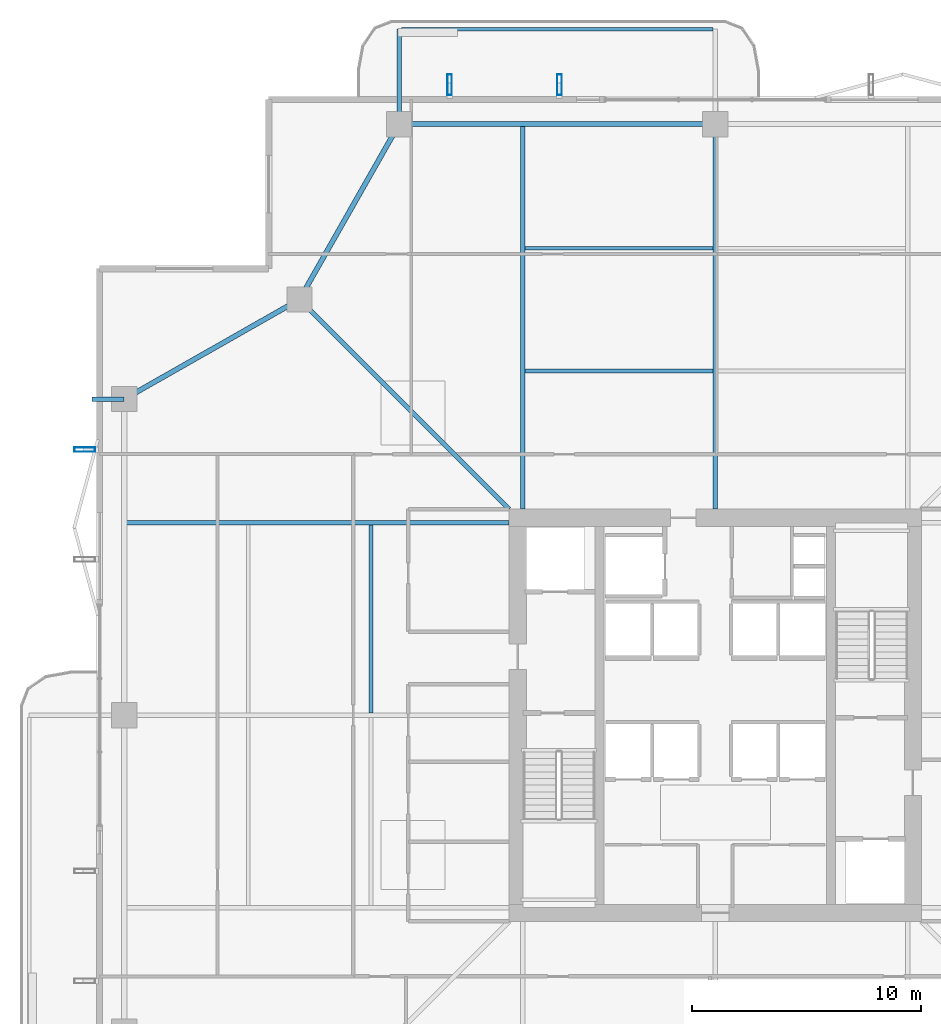
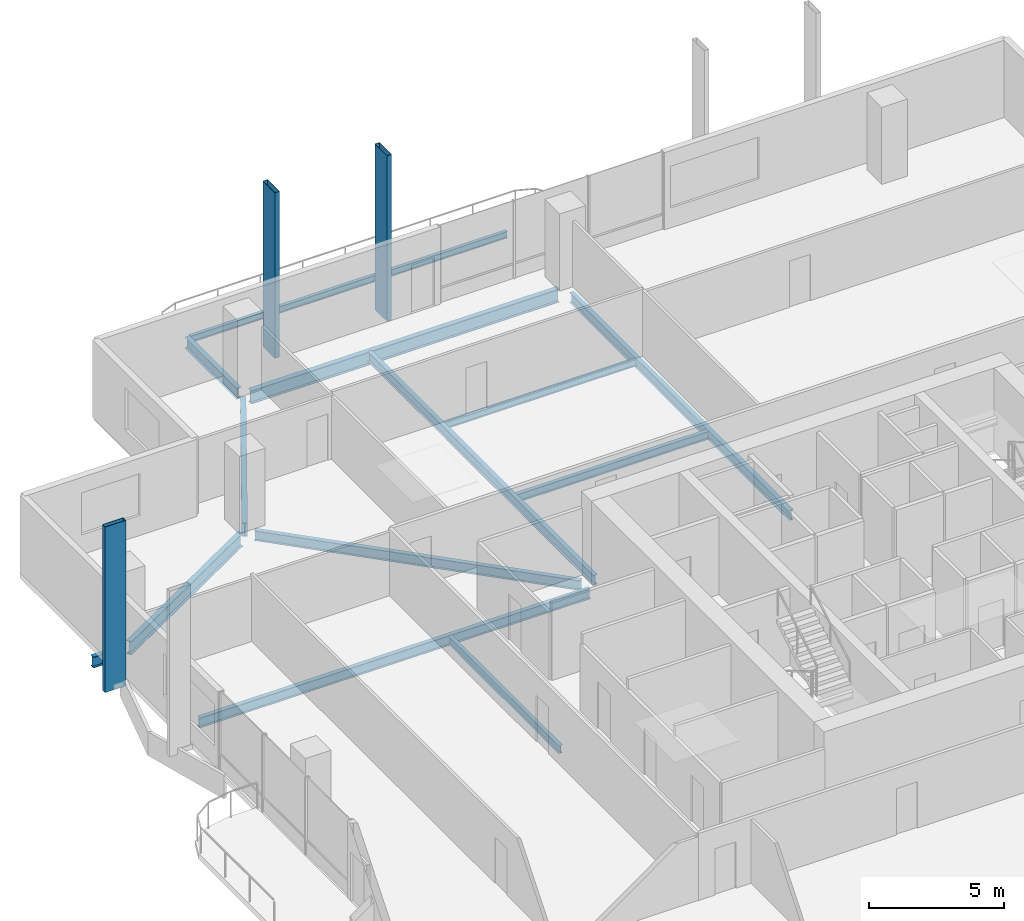
# One storey, part 10 of 24: 13 beams, 3 members.
"""IFC4 building model written with IfcOpenShell, lengths in metres."""

import ifcopenshell
import ifcopenshell.guid

model = None  # the IFC model being written
_history = None  # IfcOwnerHistory: only IFC2X3 demands one
_inside = {}  # id of a spatial element -> (the spatial element, [elements in it])
_under = {}  # id of a project, library or spatial element -> (it, [spatial elements below it])
_declared = {}  # id of a project -> (the project, [libraries it declares])
_typed = {}  # id of a type object -> (the type object, [elements of that type])
_made_of = {}  # id of a material, layer set ... -> (it, [elements and type objects made of it])


def new_model(schema):
    """Start an empty IFC model of exactly this schema.

    Asked for "IFC4X3", IfcOpenShell would pick the latest addendum, in which some entities
    have other attributes; the version numbers below select the first issue.
    IFC2X3 requires an IfcOwnerHistory on every rooted entity: one is made here for all.
    """
    global model, _history
    if schema == "IFC4X3":
        model = ifcopenshell.file(schema_version=(4, 3, 0, 0))
    else:
        model = ifcopenshell.file(schema=schema)
    _inside.clear()
    _under.clear()
    _declared.clear()
    _typed.clear()
    _made_of.clear()
    _history = None
    if model.schema == "IFC2X3":
        org = make("IfcOrganization", Name="unknown")
        user = make(
            "IfcPersonAndOrganization",
            ThePerson=make("IfcPerson", FamilyName="unknown"),
            TheOrganization=org,
        )
        app = make(
            "IfcApplication",
            ApplicationDeveloper=org,
            Version="unknown",
            ApplicationFullName="unknown",
            ApplicationIdentifier="unknown",
        )
        _history = make(
            "IfcOwnerHistory",
            OwningUser=user,
            OwningApplication=app,
            ChangeAction="ADDED",
            CreationDate=0,
        )
    return model


def make(cls, **values):
    """One entity of the class cls with the attributes given. An attribute that is None is left unset."""
    return model.create_entity(
        cls, **{name: value for name, value in values.items() if value is not None}
    )


def rooted(cls, **values):
    """An entity with a GlobalId (a new one), such as an element, a storey or a relation."""
    return make(cls, GlobalId=ifcopenshell.guid.new(), OwnerHistory=_history, **values)


def si_unit(unit_type, name, prefix=None):
    """IfcSIUnit, for example si_unit("LENGTHUNIT", "METRE", prefix="MILLI")."""
    return make("IfcSIUnit", UnitType=unit_type, Prefix=prefix, Name=name)


def assignment(units):
    """IfcUnitAssignment: the units of a project."""
    return None if units is None else make("IfcUnitAssignment", Units=units)


def point(xyz):
    """IfcCartesianPoint."""
    return None if xyz is None else make("IfcCartesianPoint", Coordinates=xyz)


def direction(xyz):
    """IfcDirection."""
    return None if xyz is None else make("IfcDirection", DirectionRatios=xyz)


def frame(location, z_axis=None, x_axis=None):
    """IfcAxis2Placement3D, a coordinate frame: its origin and axes. An axis left out is left unset."""
    return make(
        "IfcAxis2Placement3D",
        Location=point(location),
        Axis=direction(z_axis),
        RefDirection=direction(x_axis),
    )


def frame_2d(location, x_axis=None):
    """IfcAxis2Placement2D, a coordinate frame in the plane: its origin and x axis."""
    return make(
        "IfcAxis2Placement2D", Location=point(location), RefDirection=direction(x_axis)
    )


def origin():
    """The frame at (0, 0, 0) with its axes left unset."""
    return frame((0.0, 0.0, 0.0))


def origin_2d():
    """The frame at (0, 0) in the plane with its x axis left unset."""
    return frame_2d((0.0, 0.0))


def place(relative_to, where):
    """IfcLocalPlacement: puts the frame where relative to a parent placement (None: the world)."""
    return make(
        "IfcLocalPlacement", PlacementRelTo=relative_to, RelativePlacement=where
    )


def context(
    kind, dimensions, precision=None, world=None, true_north=None, identifier=None
):
    """IfcGeometricRepresentationContext, for example the 3D "Model" context."""
    return make(
        "IfcGeometricRepresentationContext",
        ContextIdentifier=identifier,
        ContextType=kind,
        CoordinateSpaceDimension=dimensions,
        Precision=precision,
        WorldCoordinateSystem=world,
        TrueNorth=true_north,
    )


def subcontext(parent, identifier, kind, view, scale=None):
    """IfcGeometricRepresentationSubContext, for example "Body" below "Model"."""
    return make(
        "IfcGeometricRepresentationSubContext",
        ContextIdentifier=identifier,
        ContextType=kind,
        ParentContext=parent,
        TargetScale=scale,
        TargetView=view,
    )


def project(units=None, contexts=None):
    """IfcProject with its units and contexts."""
    return rooted(
        "IfcProject",
        Name="project",
        RepresentationContexts=contexts,
        UnitsInContext=assignment(units),
    )


def spatial(cls, under=None, at=None, **own):
    """A site, building, storey or space (cls), placed at a placement, below another one or the project."""
    s = rooted(cls, ObjectPlacement=at, **own)
    if under is not None:
        _under.setdefault(under.id(), (under, []))[1].append(s)
    return s


def profile(cls, at=None, kind="AREA", **sizes):
    """A parametric profile (cls). Its sizes go by their IFC names, for example OverallWidth=200.0."""
    return make(cls, ProfileType=kind, Position=at, **sizes)


def hollow_rectangle(**sizes):
    """IfcRectangleHollowProfileDef."""
    return profile("IfcRectangleHollowProfileDef", **sizes)


def i_section(**sizes):
    """IfcIShapeProfileDef."""
    return profile("IfcIShapeProfileDef", **sizes)


def extrude(swept, where, along, depth):
    """IfcExtrudedAreaSolid: the profile swept, set in the frame where, extruded along a direction by depth."""
    return make(
        "IfcExtrudedAreaSolid",
        SweptArea=swept,
        Position=where,
        ExtrudedDirection=direction(along),
        Depth=depth,
    )


def shape(context_of_items, identifier, shape_type, items):
    """IfcShapeRepresentation: the items that make up one representation, for example the "Body"."""
    return make(
        "IfcShapeRepresentation",
        ContextOfItems=context_of_items,
        RepresentationIdentifier=identifier,
        RepresentationType=shape_type,
        Items=items,
    )


def material(Name=None, Category=None):
    """IfcMaterial."""
    return make("IfcMaterial", Name=Name, Category=Category)


def material_profile(
    of_material, cross_section, Name=None, Category=None, Priority=None
):
    """IfcMaterialProfile: a cross section and its material."""
    return make(
        "IfcMaterialProfile",
        Name=Name,
        Material=of_material,
        Profile=cross_section,
        Priority=Priority,
        Category=Category,
    )


def profile_set(profiles, Name=None, composite=None):
    """IfcMaterialProfileSet."""
    return make(
        "IfcMaterialProfileSet",
        Name=Name,
        MaterialProfiles=profiles,
        CompositeProfile=composite,
    )


def made_of(thing, what):
    """Note that an element or type object is made of a material, layer set ...; save() writes the relation."""
    if what is not None:
        _made_of.setdefault(what.id(), (what, []))[1].append(thing)
    return thing


def type_object(cls, material=None, **own):
    """A type object (cls), such as IfcWallType, which elements share."""
    return made_of(rooted(cls, **own), material)


def element(
    cls,
    number,
    at=None,
    inside=None,
    cuts=None,
    type_object=None,
    material=None,
    context=None,
    identifier="Body",
    shape_type=None,
    held_by="IfcProductDefinitionShape",
    body=None,
    shapes=None,
    **own,
):
    """One element of the class cls, such as IfcWall. Its Tag is "e" and its number.

    at: its placement. inside: the storey or other place that contains it. cuts: it is an
    opening in that element (IfcRelVoidsElement). A single representation is given by context,
    identifier, shape_type and body (its items); several are given by shapes. held_by: the class
    of the entity that holds the representations. save() writes the other relations.
    """
    e = rooted(cls, Tag="e%d" % number, ObjectPlacement=at, **own)
    if body is not None:
        shapes = [shape(context, identifier, shape_type, body)]
    if shapes is not None:
        e.Representation = make(held_by, Representations=shapes)
    if inside is not None:
        _inside.setdefault(inside.id(), (inside, []))[1].append(e)
    if cuts is not None:
        rooted(
            "IfcRelVoidsElement", RelatingBuildingElement=cuts, RelatedOpeningElement=e
        )
    if type_object is not None:
        _typed.setdefault(type_object.id(), (type_object, []))[1].append(e)
    return made_of(e, material)


def aggregate(whole, parts):
    """IfcRelAggregates: a whole, such as a stair, and the parts it consists of."""
    return rooted("IfcRelAggregates", RelatingObject=whole, RelatedObjects=parts)


def save(model, path):
    """Write the relations noted so far, then the file.

    IfcRelAggregates (storeys below a building ...), IfcRelContainedInSpatialStructure (elements
    in a storey), IfcRelDefinesByType, IfcRelAssociatesMaterial and IfcRelDeclares: one each for
    every whole, place, type object, material and project.
    """
    for whole, parts in _under.values():
        aggregate(whole, parts)
    for where, things in _inside.values():
        rooted(
            "IfcRelContainedInSpatialStructure",
            RelatedElements=things,
            RelatingStructure=where,
        )
    for kind, things in _typed.values():
        rooted("IfcRelDefinesByType", RelatedObjects=things, RelatingType=kind)
    for what, things in _made_of.values():
        rooted("IfcRelAssociatesMaterial", RelatedObjects=things, RelatingMaterial=what)
    for by, libraries in _declared.values():
        rooted("IfcRelDeclares", RelatingContext=by, RelatedDefinitions=libraries)
    model.write(path)


model = new_model("IFC4")

# Units and contexts
model_context = context("Model", 3, precision=1e-05, world=origin(), true_north=direction((0.0, 1.0)))
body_context = subcontext(model_context, "Body", "Model", "MODEL_VIEW")
ifc_project = project(units=[si_unit("LENGTHUNIT", "METRE"), si_unit("AREAUNIT", "SQUARE_METRE"), si_unit("VOLUMEUNIT", "CUBIC_METRE"), si_unit("PLANEANGLEUNIT", "RADIAN"), si_unit("MASSUNIT", "GRAM", prefix="KILO")], contexts=[model_context])

# Site, building, storey
site_placement = place(None, origin())
site = spatial("IfcSite", under=ifc_project, at=site_placement, CompositionType="ELEMENT")
building_placement = place(site_placement, origin())
building = spatial("IfcBuilding", under=site, at=building_placement, Name="Belovzor Exchange Tower", CompositionType="ELEMENT")
storey_placement = place(building_placement, frame((0.0, 0.0, 226.199951171875)))
storey = spatial("IfcBuildingStorey", under=building, at=storey_placement, Name="L56", CompositionType="ELEMENT", Elevation=226.199951171875)

# Beams
ifc_material_1 = material(Name="Steel S355", Category="steel")
ifc_material_profile_1 = material_profile(ifc_material_1, i_section(OverallWidth=0.199951171875, OverallDepth=0.5, WebThickness=0.01025390625, FlangeThickness=0.01611328125, at=origin_2d()))
ifc_profile_set_1 = profile_set([ifc_material_profile_1], Name="Steel S355")
beam_type_1 = type_object("IfcBeamType", Name="Planted Balcony Cantilever Beam IPE 500", PredefinedType="BEAM", material=ifc_profile_set_1)
beam_1_placement = place(storey_placement, frame((15.0, 54.903076171875, -0.5), z_axis=(0.0, 1.0, 0.0), x_axis=(-1.0, 0.0, 0.0)))
element("IfcBeam", 1, at=beam_1_placement, inside=storey, type_object=beam_type_1, Name="BC-500 Planted Balcony Cantilever Beam IPE 500", PredefinedType="BEAM", context=body_context, shape_type="SweptSolid", body=[
    extrude(i_section(OverallWidth=0.199951171875, OverallDepth=0.5, WebThickness=0.01025390625, FlangeThickness=0.01611328125, at=origin_2d()), origin(), (0.0, 0.0, 1.0), 3.849853515625),
])
beam_2_placement = place(storey_placement, frame((3.0, 42.60009765625, -0.5), z_axis=(-1.0, 0.0, 0.0), x_axis=(0.0, -1.0, 0.0)))
element("IfcBeam", 2, at=beam_2_placement, inside=storey, type_object=beam_type_1, Name="BC-500 Planted Balcony Cantilever Beam IPE 500", PredefinedType="BEAM", context=body_context, shape_type="SweptSolid", body=[
    extrude(i_section(OverallWidth=0.199951171875, OverallDepth=0.5, WebThickness=0.01025390625, FlangeThickness=0.01611328125, at=origin_2d()), origin(), (0.0, 0.0, 1.0), 1.39990234375),
])
ifc_material_2 = material(Name="Steel S355", Category="steel")
ifc_material_profile_2 = material_profile(ifc_material_2, i_section(OverallWidth=0.14990234375, OverallDepth=0.300048828125, WebThickness=0.007080078125, FlangeThickness=0.0107421875, at=origin_2d()))
ifc_profile_set_2 = profile_set([ifc_material_profile_2], Name="Steel S355")
beam_type_2 = type_object("IfcBeamType", Name="Planted Balcony Fascia Edge Beam IPE 300", PredefinedType="BEAM", material=ifc_profile_set_2)
beam_3_placement = place(storey_placement, frame((28.699951171875, 58.7529296875, -0.39990234375), z_axis=(-1.0, 0.0, 0.0), x_axis=(0.0, -1.0, 0.0)))
element("IfcBeam", 3, at=beam_3_placement, inside=storey, type_object=beam_type_2, Name="BC-300 Planted Balcony Fascia Edge Beam IPE 300", PredefinedType="BEAM", context=body_context, shape_type="SweptSolid", body=[
    extrude(i_section(OverallWidth=0.14990234375, OverallDepth=0.300048828125, WebThickness=0.007080078125, FlangeThickness=0.0107421875, at=origin_2d()), origin(), (0.0, 0.0, 1.0), 13.599853515625),
])
ifc_material_3 = material(Name="Steel S355", Category="steel")
ifc_material_profile_3 = material_profile(ifc_material_3, i_section(OverallWidth=0.169921875, OverallDepth=0.360107421875, WebThickness=0.008056640625, FlangeThickness=0.0126953125, at=origin_2d()))
ifc_profile_set_3 = profile_set([ifc_material_profile_3], Name="Steel S355")
beam_type_3 = type_object("IfcBeamType", Name="Secondary Infill Floor Joist IPE 360", PredefinedType="BEAM", material=ifc_profile_set_3)
for number, where, z_axis, x_axis, name in (
    (4, (20.4951171875, 43.827880859375, -0.429931640625), (1.0, 0.0, 0.0), (0.0, 1.0, 0.0), "FJ-360 Secondary Infill Floor Joist IPE 360"),
    (5, (13.77197265625, 28.89501953125, -0.429931640625), (0.0, 1.0, 0.0), (-1.0, 0.0, 0.0), "FJ-360 Secondary Infill Floor Joist IPE 360"),
):
    element("IfcBeam", number, at=place(storey_placement, frame(where, z_axis=z_axis, x_axis=x_axis)), inside=storey, type_object=beam_type_3, Name=name, PredefinedType="BEAM", context=body_context, shape_type="SweptSolid", body=[
        extrude(i_section(OverallWidth=0.169921875, OverallDepth=0.360107421875, WebThickness=0.008056640625, FlangeThickness=0.0126953125, at=origin_2d()), origin(), (0.0, 0.0, 1.0), 8.2099609375),
    ])
ifc_material_4 = material(Name="Steel S355", Category="steel")
ifc_material_profile_4 = material_profile(ifc_material_4, i_section(OverallWidth=0.14990234375, OverallDepth=0.300048828125, WebThickness=0.007080078125, FlangeThickness=0.0107421875, at=origin_2d()))
ifc_profile_set_4 = profile_set([ifc_material_profile_4], Name="Steel S355")
beam_type_4 = type_object("IfcBeamType", Name="Secondary Trim Floor Joist IPE 300", PredefinedType="BEAM", material=ifc_profile_set_4)
beam_4_placement = place(storey_placement, frame((20.4951171875, 49.18701171875, -0.39990234375), z_axis=(1.0, 0.0, 0.0), x_axis=(0.0, 1.0, 0.0)))
element("IfcBeam", 6, at=beam_4_placement, inside=storey, type_object=beam_type_4, Name="FJ-300 Secondary Trim Floor Joist IPE 300", PredefinedType="BEAM", context=body_context, shape_type="SweptSolid", body=[
    extrude(i_section(OverallWidth=0.14990234375, OverallDepth=0.300048828125, WebThickness=0.007080078125, FlangeThickness=0.0107421875, at=origin_2d()), origin(), (0.0, 0.0, 1.0), 8.2099609375),
])

# Members
ifc_material_5 = material(Name="Extruded Architectural Terracotta on Steel S355 Carrier", Category="masonry")
ifc_material_profile_5 = material_profile(ifc_material_5, hollow_rectangle(XDim=0.199951171875, YDim=0.89990234375, WallThickness=0.011962890625, at=origin_2d()))
ifc_profile_set_5 = profile_set([ifc_material_profile_5], Name="Extruded Architectural Terracotta on Steel S355 Carrier")
member_type = type_object("IfcMemberType", Name="Sweeping Terracotta Baguette Fin Assembly 950", PredefinedType="USERDEFINED", material=ifc_profile_set_5)
for number, where, z_axis, x_axis, name in (
    (7, (17.199951171875, 56.324951171875, -0.25), (0.0, 0.0, 1.0), (1.0, 0.0, 0.0), "FIN-TC095 Terracotta Facade Fin L56 N1"),
    (8, (22.0, 56.324951171875, -0.25), (0.0, 0.0, 1.0), (1.0, 0.0, 0.0), "FIN-TC095 Terracotta Facade Fin L56 N2"),
    (9, (1.27490234375, 40.39990234375, -0.25), (0.0, 0.0, 1.0), (0.0, 1.0, 0.0), "FIN-TC095 Terracotta Facade Fin L56 W4"),
):
    element("IfcMember", number, at=place(storey_placement, frame(where, z_axis=z_axis, x_axis=x_axis)), inside=storey, type_object=member_type, Name=name, ObjectType="FIN", PredefinedType="USERDEFINED", context=body_context, shape_type="SweptSolid", body=[
        extrude(hollow_rectangle(XDim=0.199951171875, YDim=0.89990234375, WallThickness=0.011962890625, at=origin_2d()), origin(), (0.0, 0.0, 1.0), 7.5),
    ])

# Beams
ifc_material_6 = material(Name="Steel S355", Category="steel")
ifc_material_profile_6 = material_profile(ifc_material_6, i_section(OverallWidth=0.18994140625, OverallDepth=0.449951171875, WebThickness=0.009521484375, FlangeThickness=0.0146484375, at=origin_2d()))
ifc_profile_set_6 = profile_set([ifc_material_profile_6], Name="Steel S355")
beam_type_5 = type_object("IfcBeamType", Name="Zone 2-4 Radial Composite Floor Beam IPE 450", PredefinedType="BEAM", material=ifc_profile_set_6)
beam_5_placement = place(storey_placement, frame((20.39990234375, 37.800048828125, -0.474853515625), z_axis=(0.0, 1.0, 0.0), x_axis=(-1.0, 0.0, 0.0)))
element("IfcBeam", 10, at=beam_5_placement, inside=storey, type_object=beam_type_5, Name="FB-450 Zone 2-4 Radial Composite Floor Beam IPE 450", PredefinedType="BEAM", context=body_context, shape_type="SweptSolid", body=[
    extrude(i_section(OverallWidth=0.18994140625, OverallDepth=0.449951171875, WebThickness=0.009521484375, FlangeThickness=0.0146484375, at=origin_2d()), origin(), (0.0, 0.0, 1.0), 16.744873046875),
])
beam_6_placement = place(storey_placement, frame((28.800048828125, 37.800048828125, -0.474853515625), z_axis=(0.0, 1.0, 0.0), x_axis=(-1.0, 0.0, 0.0)))
element("IfcBeam", 11, at=beam_6_placement, inside=storey, type_object=beam_type_5, Name="FB-450 Zone 2-4 Radial Composite Floor Beam IPE 450", PredefinedType="BEAM", context=body_context, shape_type="SweptSolid", body=[
    extrude(i_section(OverallWidth=0.18994140625, OverallDepth=0.449951171875, WebThickness=0.009521484375, FlangeThickness=0.0146484375, at=origin_2d()), origin(), (0.0, 0.0, 1.0), 16.31591796875),
])
beam_7_placement = place(storey_placement, frame((19.800048828125, 37.199951171875, -0.474853515625), z_axis=(-1.0, 0.0, 0.0), x_axis=(0.0, -1.0, 0.0)))
element("IfcBeam", 12, at=beam_7_placement, inside=storey, type_object=beam_type_5, Name="FB-450 Zone 2-4 Radial Composite Floor Beam IPE 450", PredefinedType="BEAM", context=body_context, shape_type="SweptSolid", body=[
    extrude(i_section(OverallWidth=0.18994140625, OverallDepth=0.449951171875, WebThickness=0.009521484375, FlangeThickness=0.0146484375, at=origin_2d()), origin(), (0.0, 0.0, 1.0), 16.7451171875),
])
beam_8_placement = place(storey_placement, frame((19.800048828125, 37.800048828125, -0.474853515625), z_axis=(-0.707106781187, 0.707106781187, 0.0), x_axis=(-0.707106781187, -0.707106781187, 0.0)))
element("IfcBeam", 13, at=beam_8_placement, inside=storey, type_object=beam_type_5, Name="FB-450 Zone 2-4 Radial Composite Floor Beam IPE 450", PredefinedType="BEAM", context=body_context, shape_type="SweptSolid", body=[
    extrude(i_section(OverallWidth=0.18994140625, OverallDepth=0.449951171875, WebThickness=0.009521484375, FlangeThickness=0.0146484375, at=origin_2d()), origin(), (0.0, 0.0, 1.0), 12.551025390625),
])
ifc_material_7 = material(Name="Steel S355", Category="steel")
ifc_material_profile_7 = material_profile(ifc_material_7, i_section(OverallWidth=0.219970703125, OverallDepth=0.60009765625, WebThickness=0.011962890625, FlangeThickness=0.01904296875, at=origin_2d()))
ifc_profile_set_7 = profile_set([ifc_material_profile_7], Name="Steel S355")
beam_type_6 = type_object("IfcBeamType", Name="Zone 4 Flare Primary Girder IPE 600", PredefinedType="BEAM", material=ifc_profile_set_7)
beam_9_placement = place(storey_placement, frame((28.498046875, 54.60009765625, -0.550048828125), z_axis=(-1.0, 0.0, 0.0), x_axis=(0.0, -1.0, 0.0)))
element("IfcBeam", 14, at=beam_9_placement, inside=storey, type_object=beam_type_6, Name="FG-Z4 Zone 4 Flare Primary Girder IPE 600", PredefinedType="BEAM", context=body_context, shape_type="SweptSolid", body=[
    extrude(i_section(OverallWidth=0.219970703125, OverallDepth=0.60009765625, WebThickness=0.011962890625, FlangeThickness=0.01904296875, at=origin_2d()), origin(), (0.0, 0.0, 1.0), 13.195068359375),
])
for number, where, z_axis, x_axis, name in (
    (15, (14.85009765625, 54.3369140625, -0.550048828125), (-0.494222323641, -0.869335547884, 0.0), (0.869335547884, -0.494222323641, 0.0), "FG-Z4 Zone 4 Flare Primary Girder IPE 600"),
    (16, (10.386962890625, 46.800048828125, -0.550048828125), (-0.869335547884, -0.494222323641, 0.0), (0.494222323641, -0.869335547884, 0.0), "FG-Z4 Zone 4 Flare Primary Girder IPE 600"),
):
    element("IfcBeam", number, at=place(storey_placement, frame(where, z_axis=z_axis, x_axis=x_axis)), inside=storey, type_object=beam_type_6, Name=name, PredefinedType="BEAM", context=body_context, shape_type="SweptSolid", body=[
        extrude(i_section(OverallWidth=0.219970703125, OverallDepth=0.60009765625, WebThickness=0.011962890625, FlangeThickness=0.01904296875, at=origin_2d()), origin(), (0.0, 0.0, 1.0), 8.19482421875),
    ])

save(model, "model.ifc")
